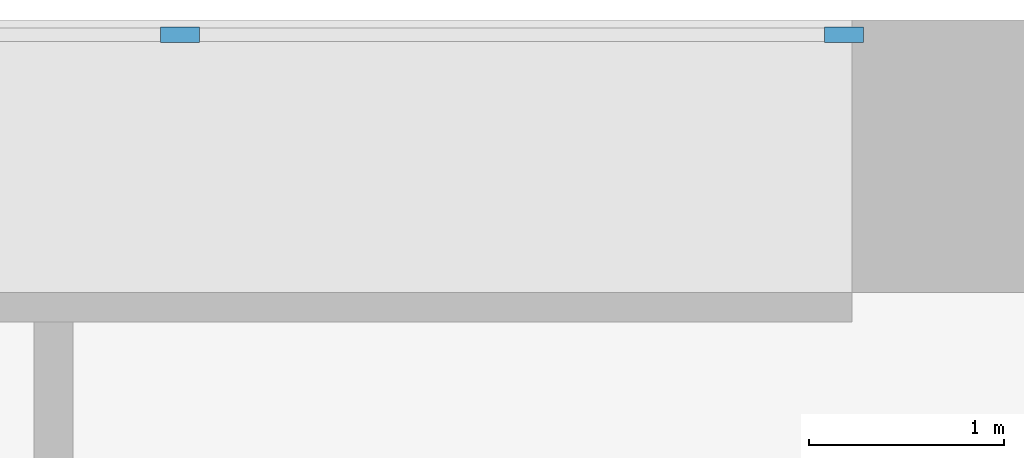
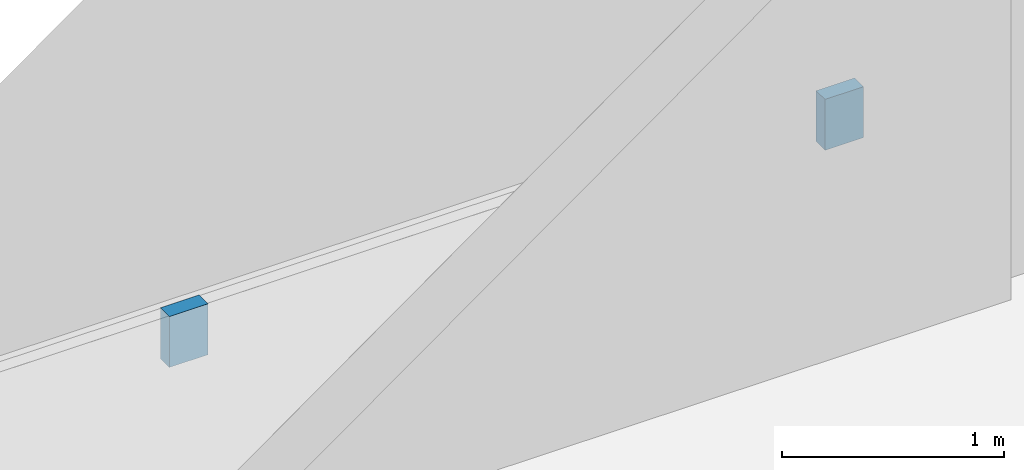
# One storey, part 17 of 24: 2 members, 1 element without a shape of its own.
"""IFC4 building model written with IfcOpenShell, lengths in metres."""

from ifc_helpers import new_model, si_unit, direction, frame, origin, origin_2d, place, context, subcontext, project, spatial, rectangle, extrude, material, layer, layer_set, material_profile, profile_set, type_object, element, aggregate, save


model = new_model("IFC4")

# Units and contexts
model_context = context("Model", 3, precision=1e-05, world=origin(), true_north=direction((0.0, 1.0)))
body_context = subcontext(model_context, "Body", "Model", "MODEL_VIEW")
ifc_project = project(units=[si_unit("LENGTHUNIT", "METRE"), si_unit("AREAUNIT", "SQUARE_METRE"), si_unit("VOLUMEUNIT", "CUBIC_METRE"), si_unit("PLANEANGLEUNIT", "RADIAN"), si_unit("MASSUNIT", "GRAM", prefix="KILO")], contexts=[model_context])

# Site, building, storey
site_placement = place(None, origin())
site = spatial("IfcSite", under=ifc_project, at=site_placement, CompositionType="ELEMENT")
building_placement = place(site_placement, origin())
building = spatial("IfcBuilding", under=site, at=building_placement, Name="Brigalow Station Residences", CompositionType="ELEMENT")
storey_placement = place(building_placement, frame((0.0, 0.0, 15.5)))
storey = spatial("IfcBuildingStorey", under=building, at=storey_placement, Name="L03", CompositionType="ELEMENT", Elevation=15.5)

# Curtain wall, members
ifc_material_1 = material(Name="Aluminium", Category="aluminium")
ifc_layer = layer(ifc_material_1, 0.199951171875)
ifc_layer_set = layer_set([ifc_layer], Name="REFUGE FLOOR LOUVRE CURTAIN WALL")
curtain_wall_type = type_object("IfcCurtainWallType", Name="REFUGE FLOOR LOUVRE CURTAIN WALL", PredefinedType="NOTDEFINED", material=ifc_layer_set)
curtain_wall_placement = place(storey_placement, origin())
curtain_wall = element("IfcCurtainWall", 1, at=curtain_wall_placement, inside=storey, type_object=curtain_wall_type, Name="L03/cw/louvre-slot-W-L03-25-7", PredefinedType="NOTDEFINED")
ifc_material_2 = material(Name="Aluminium", Category="aluminium")
ifc_material_profile = material_profile(ifc_material_2, rectangle(XDim=0.080078125, YDim=0.199951171875, at=origin_2d()), Name="REFUGE FLOOR LOUVRE MULLION 80x200")
ifc_profile_set = profile_set([ifc_material_profile], Name="Aluminium")
member_type = type_object("IfcMemberType", Name="REFUGE FLOOR LOUVRE MULLION 80x200", PredefinedType="MULLION", material=ifc_profile_set)
member_1_placement = place(storey_placement, frame((70.56005859375, 48.425048828125, 0.0), z_axis=(0.0, 0.0, 1.0), x_axis=(0.0, -1.0, 0.0)))
member_1 = element("IfcMember", 2, at=member_1_placement, type_object=member_type, Name="L03/cw/louvre-slot-W-L03-25-7/M00", PredefinedType="MULLION", context=body_context, shape_type="SweptSolid", body=[
    extrude(rectangle(XDim=0.080078125, YDim=0.199951171875, at=origin_2d()), origin(), (0.0, 0.0, 1.0), 0.280029296875),
])
member_2_placement = place(storey_placement, frame((67.14990234375, 48.425048828125, 0.0), z_axis=(0.0, 0.0, 1.0), x_axis=(0.0, -1.0, 0.0)))
member_2 = element("IfcMember", 3, at=member_2_placement, type_object=member_type, Name="L03/cw/louvre-slot-W-L03-25-7/M01", PredefinedType="MULLION", context=body_context, shape_type="SweptSolid", body=[
    extrude(rectangle(XDim=0.080078125, YDim=0.199951171875, at=origin_2d()), origin(), (0.0, 0.0, 1.0), 0.280029296875),
])
aggregate(curtain_wall, [member_1, member_2])

save(model, "model.ifc")
